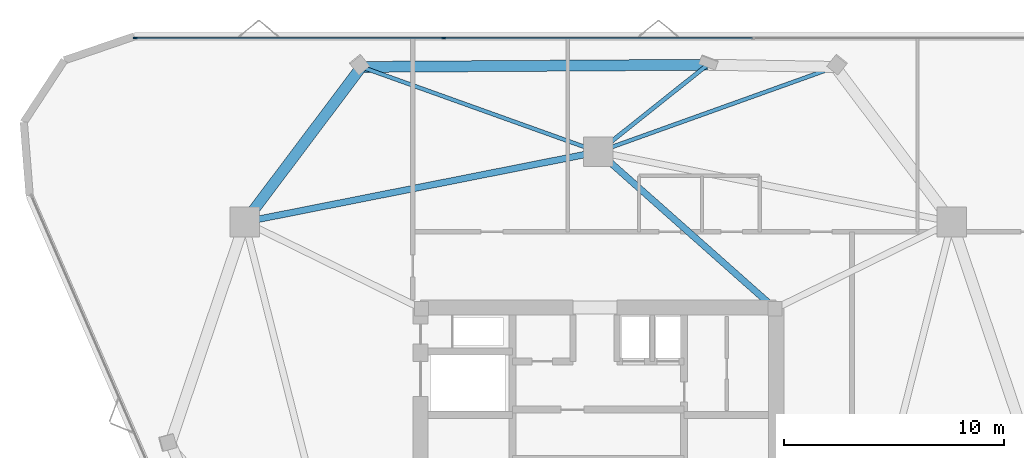
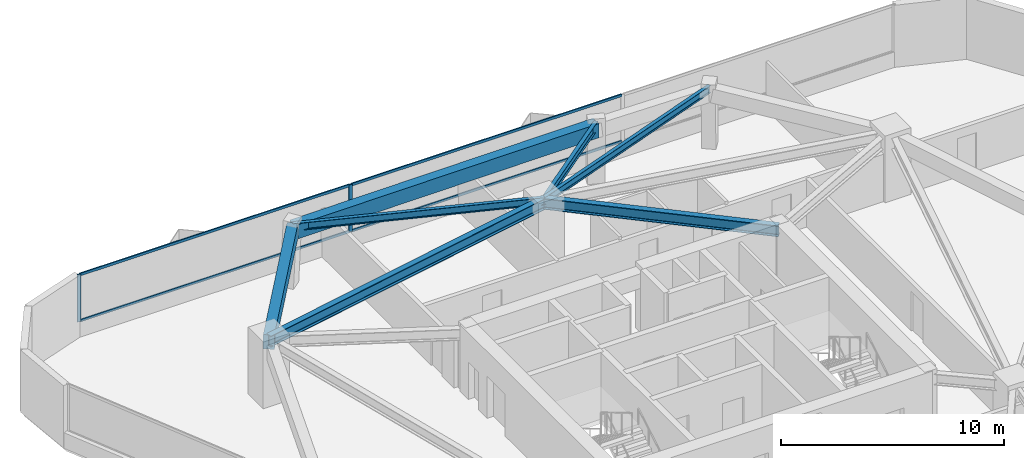
# One storey, part 6 of 12: 7 beams, 6 members, 1 element without a shape of its own.
"""IFC4 building model written with IfcOpenShell, lengths in metres."""

from ifc_helpers import new_model, si_unit, direction, frame, origin, origin_2d, place, context, subcontext, project, spatial, rectangle, i_section, extrude, material, layer, layer_set, material_profile, profile_set, type_object, element, aggregate, save


model = new_model("IFC4")

# Units and contexts
model_context = context("Model", 3, precision=1e-05, world=origin(), true_north=direction((0.0, 1.0)))
body_context = subcontext(model_context, "Body", "Model", "MODEL_VIEW")
ifc_project = project(units=[si_unit("LENGTHUNIT", "METRE"), si_unit("AREAUNIT", "SQUARE_METRE"), si_unit("VOLUMEUNIT", "CUBIC_METRE"), si_unit("PLANEANGLEUNIT", "RADIAN"), si_unit("MASSUNIT", "GRAM", prefix="KILO")], contexts=[model_context])

# Site, building, storey
site_placement = place(None, origin())
site = spatial("IfcSite", under=ifc_project, at=site_placement, CompositionType="ELEMENT")
building_placement = place(site_placement, origin())
building = spatial("IfcBuilding", under=site, at=building_placement, Name="Talyreon Biosciences Tower", CompositionType="ELEMENT")
storey_placement = place(building_placement, frame((0.0, 0.0, 197.64990234375)))
storey = spatial("IfcBuildingStorey", under=building, at=storey_placement, Name="L52", CompositionType="ELEMENT", Elevation=197.64990234375)

# Curtain wall, members
ifc_material_1 = material(Name="Thermally broken aluminium and low-E glazing", Category="aluminium")
ifc_layer = layer(ifc_material_1, 0.179931640625)
ifc_layer_set = layer_set([ifc_layer], Name="Thermally broken aluminium and low-E glazing")
curtain_wall_type = type_object("IfcCurtainWallType", Name="CurtainWall_Zone4Optical", PredefinedType="NOTDEFINED", material=ifc_layer_set)
curtain_wall_placement = place(storey_placement, origin())
curtain_wall = element("IfcCurtainWall", 1, at=curtain_wall_placement, inside=storey, type_object=curtain_wall_type, Name="L52 Unitised Curtain Wall FCW-L52-04", PredefinedType="NOTDEFINED")
ifc_material_2 = material(Name="Anodised thermally broken aluminium", Category="aluminium")
ifc_material_profile_1 = material_profile(ifc_material_2, rectangle(XDim=0.06494140625, YDim=0.179931640625, at=origin_2d()), Name="ALUM MULLION 65x180")
ifc_profile_set_1 = profile_set([ifc_material_profile_1], Name="Anodised thermally broken aluminium")
member_type_1 = type_object("IfcMemberType", Name="CWMullion_65x180", PredefinedType="MULLION", material=ifc_profile_set_1)
member_1_placement = place(storey_placement, frame((44.90185546875, 86.971923828125, 0.81005859375), z_axis=(0.0, 0.0, 1.0), x_axis=(0.0, 1.0, 0.0)))
member_1 = element("IfcMember", 2, at=member_1_placement, type_object=member_type_1, Name="CW5 mullion 1", PredefinedType="MULLION", context=body_context, shape_type="SweptSolid", body=[
    extrude(rectangle(XDim=0.06494140625, YDim=0.179931640625, at=origin_2d()), origin(), (0.0, 0.0, 1.0), 2.590087890625),
])
member_2_placement = place(storey_placement, frame((58.95654296875, 86.971923828125, 0.81005859375), z_axis=(0.0, 0.0, 1.0), x_axis=(0.0, 1.0, 0.0)))
member_2 = element("IfcMember", 3, at=member_2_placement, type_object=member_type_1, Name="CW5 mullion 2", PredefinedType="MULLION", context=body_context, shape_type="SweptSolid", body=[
    extrude(rectangle(XDim=0.06494140625, YDim=0.179931640625, at=origin_2d()), origin(), (0.0, 0.0, 1.0), 2.590087890625),
])
ifc_material_profile_2 = material_profile(ifc_material_2, rectangle(XDim=0.06494140625, YDim=0.139892578125, at=origin_2d()), Name="ALUM TRANSOM 65x140")
ifc_profile_set_2 = profile_set([ifc_material_profile_2], Name="Anodised thermally broken aluminium")
member_type_2 = type_object("IfcMemberType", Name="CWTransom_65x140", PredefinedType="USERDEFINED", material=ifc_profile_set_2)
member_3_placement = place(storey_placement, frame((44.934326171875, 86.971923828125, 0.842529296875), z_axis=(1.0, 0.0, 0.0), x_axis=(0.0, 1.0, 0.0)))
member_3 = element("IfcMember", 4, at=member_3_placement, type_object=member_type_2, Name="CW5 transom 1.1", ObjectType="TRANSOM", PredefinedType="USERDEFINED", context=body_context, shape_type="SweptSolid", body=[
    extrude(rectangle(XDim=0.06494140625, YDim=0.139892578125, at=origin_2d()), origin(), (0.0, 0.0, 1.0), 13.98974609375),
])
member_4_placement = place(storey_placement, frame((44.934326171875, 86.971923828125, 3.36767578125), z_axis=(1.0, 0.0, 0.0), x_axis=(0.0, 1.0, 0.0)))
member_4 = element("IfcMember", 5, at=member_4_placement, type_object=member_type_2, Name="CW5 transom 1.2", ObjectType="TRANSOM", PredefinedType="USERDEFINED", context=body_context, shape_type="SweptSolid", body=[
    extrude(rectangle(XDim=0.06494140625, YDim=0.139892578125, at=origin_2d()), origin(), (0.0, 0.0, 1.0), 13.98974609375),
])
member_5_placement = place(storey_placement, frame((58.989013671875, 86.971923828125, 0.842529296875), z_axis=(1.0, 0.0, 0.0), x_axis=(0.0, 1.0, 0.0)))
member_5 = element("IfcMember", 6, at=member_5_placement, type_object=member_type_2, Name="CW5 transom 2.1", ObjectType="TRANSOM", PredefinedType="USERDEFINED", context=body_context, shape_type="SweptSolid", body=[
    extrude(rectangle(XDim=0.06494140625, YDim=0.139892578125, at=origin_2d()), origin(), (0.0, 0.0, 1.0), 14.022216796875),
])
member_6_placement = place(storey_placement, frame((58.989013671875, 86.971923828125, 3.36767578125), z_axis=(1.0, 0.0, 0.0), x_axis=(0.0, 1.0, 0.0)))
member_6 = element("IfcMember", 7, at=member_6_placement, type_object=member_type_2, Name="CW5 transom 2.2", ObjectType="TRANSOM", PredefinedType="USERDEFINED", context=body_context, shape_type="SweptSolid", body=[
    extrude(rectangle(XDim=0.06494140625, YDim=0.139892578125, at=origin_2d()), origin(), (0.0, 0.0, 1.0), 14.022216796875),
])
aggregate(curtain_wall, [member_1, member_2, member_3, member_4, member_5, member_6])

# Beams
ifc_material_3 = material(Name="Precast concrete C45/55", Category="concrete")
ifc_material_profile_3 = material_profile(ifc_material_3, rectangle(XDim=0.5, YDim=0.780029296875, at=origin_2d()), Name="RCB 500x780")
ifc_profile_set_3 = profile_set([ifc_material_profile_3], Name="Precast concrete C45/55")
beam_type_1 = type_object("IfcBeamType", Name="ExpressedSpandrel_500x780", PredefinedType="SPANDREL", material=ifc_profile_set_3)
beam_1_placement = place(storey_placement, frame((70.98095703125, 85.757568359375, 3.010009765625), z_axis=(-0.999979863736, -0.006346032011, 0.0), x_axis=(0.006346032011, -0.999979863736, 0.0)))
element("IfcBeam", 8, at=beam_1_placement, inside=storey, type_object=beam_type_1, Name="L52 Expressed Horizontal Concrete Spandrel 07", PredefinedType="SPANDREL", context=body_context, shape_type="SweptSolid", body=[
    extrude(rectangle(XDim=0.5, YDim=0.780029296875, at=origin_2d()), origin(), (0.0, 0.0, 1.0), 15.773193359375),
])
beam_2_placement = place(storey_placement, frame((55.2080078125, 85.657470703125, 3.010009765625), z_axis=(-0.601171240798, -0.799120228274, 0.0), x_axis=(0.799120228274, -0.601171240798, 0.0)))
element("IfcBeam", 9, at=beam_2_placement, inside=storey, type_object=beam_type_1, Name="L52 Expressed Horizontal Concrete Spandrel 08", PredefinedType="SPANDREL", context=body_context, shape_type="SweptSolid", body=[
    extrude(rectangle(XDim=0.5, YDim=0.780029296875, at=origin_2d()), origin(), (0.0, 0.0, 1.0), 8.833251953125),
])
ifc_material_4 = material(Name="Steel SM355", Category="steel")
ifc_material_profile_4 = material_profile(ifc_material_4, i_section(OverallWidth=0.300048828125, OverallDepth=0.60009765625, WebThickness=0.015380859375, FlangeThickness=0.030029296875, FilletRadius=0.027099609375, at=origin_2d()), Name="HE600B")
ifc_profile_set_4 = profile_set([ifc_material_profile_4], Name="Steel SM355")
beam_type_2 = type_object("IfcBeamType", Name="SteelBeam_HE600B", PredefinedType="BEAM", material=ifc_profile_set_4)
beam_3_placement = place(storey_placement, frame((66.0, 81.788818359375, 3.10009765625), z_axis=(-0.980933730698, -0.194342522311, 0.0), x_axis=(0.194342522311, -0.980933730698, 0.0)))
element("IfcBeam", 10, at=beam_3_placement, inside=storey, type_object=beam_type_2, Name="L52 Mega-Ring Girder 4", PredefinedType="BEAM", context=body_context, shape_type="SweptSolid", body=[
    extrude(i_section(OverallWidth=0.300048828125, OverallDepth=0.60009765625, WebThickness=0.015380859375, FlangeThickness=0.030029296875, FilletRadius=0.027099609375, at=origin_2d()), origin(), (0.0, 0.0, 1.0), 16.415283203125),
])
beam_4_placement = place(storey_placement, frame((74.050048828125, 74.64990234375, 3.10009765625), z_axis=(-0.748178733955, 0.663497235908, 0.0), x_axis=(-0.663497235908, -0.748178733955, 0.0)))
element("IfcBeam", 11, at=beam_4_placement, inside=storey, type_object=beam_type_2, Name="L52 Radial Primary Girder 4", PredefinedType="BEAM", context=body_context, shape_type="SweptSolid", body=[
    extrude(i_section(OverallWidth=0.300048828125, OverallDepth=0.60009765625, WebThickness=0.015380859375, FlangeThickness=0.030029296875, FilletRadius=0.027099609375, at=origin_2d()), origin(), (0.0, 0.0, 1.0), 10.759521484375),
])
ifc_material_profile_5 = material_profile(ifc_material_4, i_section(OverallWidth=0.179931640625, OverallDepth=0.39990234375, WebThickness=0.008544921875, FlangeThickness=0.013427734375, FilletRadius=0.02099609375, at=origin_2d()), Name="IPE400")
ifc_profile_set_5 = profile_set([ifc_material_profile_5], Name="Steel SM355")
beam_type_3 = type_object("IfcBeamType", Name="SteelJoist_IPE400", PredefinedType="JOIST", material=ifc_profile_set_5)
for number, where, z_axis, x_axis, name in (
    (12, (66.0, 81.788818359375, 3.2001953125), (0.941344254317, 0.337447766128, 0.0), (-0.337447766128, 0.941344254317, 0.0), "L52 Radial Composite Floor Joist PC-N1"),
    (13, (66.0, 81.788818359375, 3.2001953125), (-0.941344254317, 0.337447766128, 0.0), (-0.337447766128, -0.941344254317, 0.0), "L52 Radial Composite Floor Joist PC-N2"),
):
    element("IfcBeam", number, at=place(storey_placement, frame(where, z_axis=z_axis, x_axis=x_axis)), inside=storey, type_object=beam_type_3, Name=name, PredefinedType="JOIST", context=body_context, shape_type="SweptSolid", body=[
        extrude(i_section(OverallWidth=0.179931640625, OverallDepth=0.39990234375, WebThickness=0.008544921875, FlangeThickness=0.013427734375, FilletRadius=0.02099609375, at=origin_2d()), origin(), (0.0, 0.0, 1.0), 11.46435546875),
    ])
ifc_material_profile_6 = material_profile(ifc_material_4, i_section(OverallWidth=0.18994140625, OverallDepth=0.449951171875, WebThickness=0.009521484375, FlangeThickness=0.0146484375, FilletRadius=0.02099609375, at=origin_2d()), Name="IPE450")
ifc_profile_set_6 = profile_set([ifc_material_profile_6], Name="Steel SM355")
beam_type_4 = type_object("IfcBeamType", Name="SteelJoist_IPE450", PredefinedType="JOIST", material=ifc_profile_set_6)
beam_5_placement = place(storey_placement, frame((66.0, 81.788818359375, 3.175048828125), z_axis=(0.782093997779, 0.623160475831, 0.0), x_axis=(-0.623160475831, 0.782093997779, 0.0)))
element("IfcBeam", 14, at=beam_5_placement, inside=storey, type_object=beam_type_4, Name="L52 Radial Composite Floor Joist PL-N", PredefinedType="JOIST", context=body_context, shape_type="SweptSolid", body=[
    extrude(i_section(OverallWidth=0.18994140625, OverallDepth=0.449951171875, WebThickness=0.009521484375, FlangeThickness=0.0146484375, FilletRadius=0.02099609375, at=origin_2d()), origin(), (0.0, 0.0, 1.0), 6.36865234375),
])

save(model, "model.ifc")
